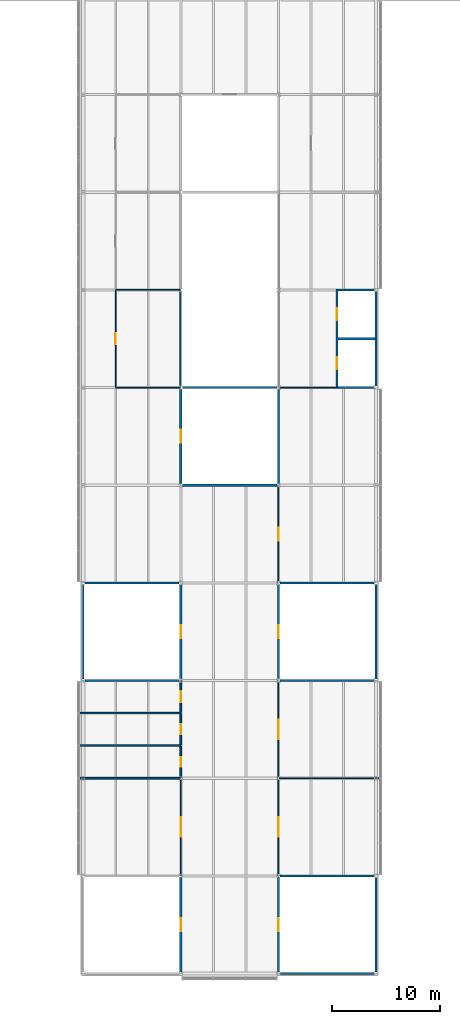
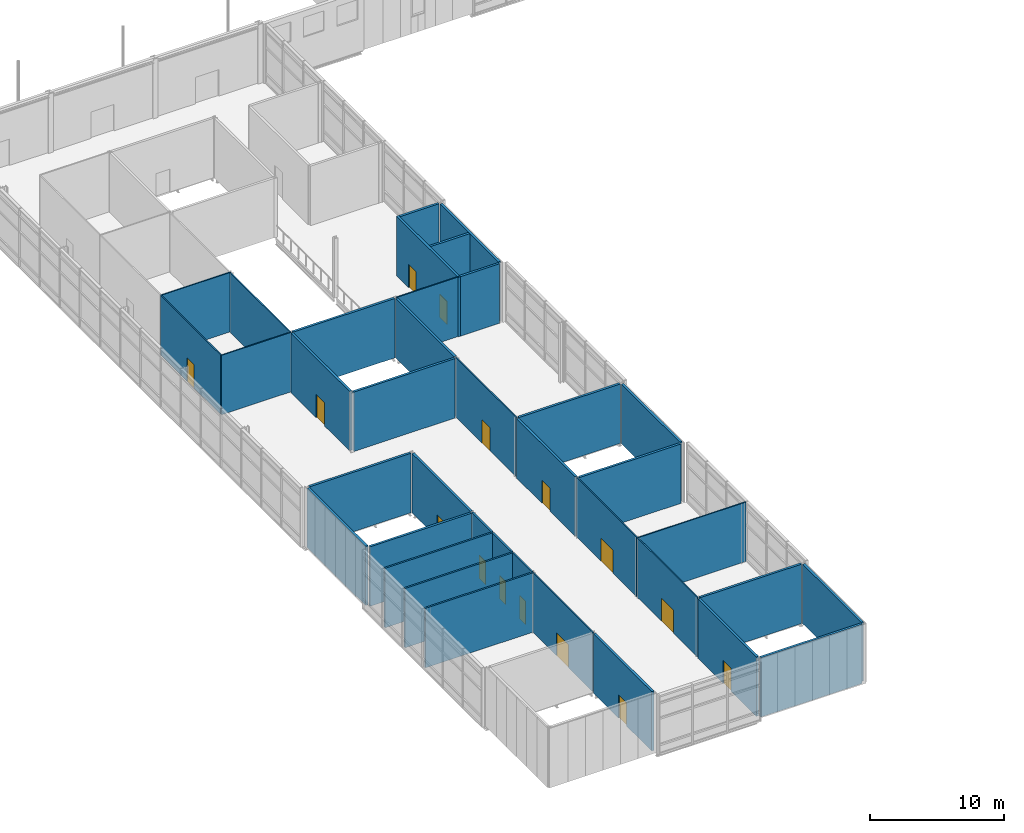
# One storey, part 35 of 46: 38 walls, 15 doors, 15 openings.
"""IFC4 building model written with IfcOpenShell, lengths in metres."""

from ifc_helpers import new_model, si_unit, direction, frame, frame_2d, origin, place, context, subcontext, project, spatial, rectangle, extrude, material, layer, layer_set, type_object, element, fill, save


model = new_model("IFC4")

# Units and contexts
model_context = context("Model", 3, precision=1e-05, world=origin(), true_north=direction((0.0, 1.0)))
body_context = subcontext(model_context, "Body", "Model", "MODEL_VIEW")
ifc_project = project(units=[si_unit("LENGTHUNIT", "METRE"), si_unit("AREAUNIT", "SQUARE_METRE"), si_unit("VOLUMEUNIT", "CUBIC_METRE"), si_unit("PLANEANGLEUNIT", "RADIAN"), si_unit("MASSUNIT", "GRAM", prefix="KILO")], contexts=[model_context])

# Site, building, storey
site_placement = place(None, origin())
site = spatial("IfcSite", under=ifc_project, at=site_placement, CompositionType="ELEMENT")
building_placement = place(site_placement, origin())
building = spatial("IfcBuilding", under=site, at=building_placement, Name="Azimuth Sports and Learning Centre", CompositionType="ELEMENT")
storey_placement = place(building_placement, frame((0.0, 0.0, 21.60009765625)))
storey = spatial("IfcBuildingStorey", under=building, at=storey_placement, Name="L04", CompositionType="ELEMENT", Elevation=21.60009765625)

# Walls
ifc_material_1 = material(Name="Dense masonry blockwork", Category="masonry")
ifc_layer_1 = layer(ifc_material_1, 0.199951171875)
ifc_layer_set_1 = layer_set([ifc_layer_1], Name="Dense masonry blockwork")
wall_type_1 = type_object("IfcWallType", Name="Blockwork wall 200 EI 120", PredefinedType="SOLIDWALL", material=ifc_layer_set_1)
wall_1_placement = place(storey_placement, frame((95.5, 58.5, 0.0), z_axis=(0.0, 0.0, 1.0), x_axis=(1.0, 0.0, 0.0)))
element("IfcWall", 1, at=wall_1_placement, inside=storey, type_object=wall_type_1, Name="SD-STL-1-L04", PredefinedType="SOLIDWALL", context=body_context, shape_type="SweptSolid", body=[
    extrude(rectangle(XDim=3.39990234375, YDim=0.199951171875, at=frame_2d((1.699951171875, 0.0))), origin(), (0.0, 0.0, 1.0), 5.39990234375),
])
ifc_material_2 = material(Name="Gypsum board on steel studs", Category="steel")
ifc_layer_2 = layer(ifc_material_2, 0.10009765625)
ifc_layer_set_2 = layer_set([ifc_layer_2], Name="Gypsum board on steel studs")
wall_type_2 = type_object("IfcWallType", Name="Partition 100 EI 30", PredefinedType="PARTITIONING", material=ifc_layer_set_2)
wall_2_placement = place(storey_placement, frame((90.0, 18.0, 0.0), z_axis=(0.0, 0.0, 1.0), x_axis=(1.0, 0.0, 0.0)))
element("IfcWall", 2, at=wall_2_placement, inside=storey, type_object=wall_type_2, Name="Partition 100 EI 30", PredefinedType="PARTITIONING", context=body_context, shape_type="SweptSolid", body=[
    extrude(rectangle(XDim=9.300048828125, YDim=0.10009765625, at=frame_2d((4.64990234375, 0.0))), origin(), (0.0, 0.0, 1.0), 5.39990234375),
])
wall_3_placement = place(storey_placement, frame((75.0, 54.0, 0.0), z_axis=(0.0, 0.0, 1.0), x_axis=(1.0, 0.0, 0.0)))
element("IfcWall", 3, at=wall_3_placement, inside=storey, type_object=wall_type_2, Name="Partition 100 EI 30", PredefinedType="PARTITIONING", context=body_context, shape_type="SweptSolid", body=[
    extrude(rectangle(XDim=6.0, YDim=0.10009765625, at=frame_2d((3.0, 0.0))), origin(), (0.0, 0.0, 1.0), 5.39990234375),
])
wall_4_placement = place(storey_placement, frame((90.0, 54.0, 0.0), z_axis=(0.0, 0.0, 1.0), x_axis=(1.0, 0.0, 0.0)))
element("IfcWall", 4, at=wall_4_placement, inside=storey, type_object=wall_type_2, Name="Partition 100 EI 30", PredefinedType="PARTITIONING", context=body_context, shape_type="SweptSolid", body=[
    extrude(rectangle(XDim=5.39990234375, YDim=0.10009765625, at=frame_2d((2.699951171875, 0.0))), origin(), (0.0, 0.0, 1.0), 5.39990234375),
])
wall_5_placement = place(storey_placement, frame((75.0, 63.0, 0.0), z_axis=(0.0, 0.0, 1.0), x_axis=(1.0, 0.0, 0.0)))
element("IfcWall", 5, at=wall_5_placement, inside=storey, type_object=wall_type_2, Name="Partition 100 EI 30", PredefinedType="PARTITIONING", context=body_context, shape_type="SweptSolid", body=[
    extrude(rectangle(XDim=6.0, YDim=0.10009765625, at=frame_2d((3.0, 0.0))), origin(), (0.0, 0.0, 1.0), 5.39990234375),
])

# Wall, opening, door
wall_6_placement = place(storey_placement, frame((75.0, 54.050048828125, 0.0), z_axis=(0.0, 0.0, 1.0), x_axis=(0.0, 1.0, 0.0)))
wall_6 = element("IfcWall", 6, at=wall_6_placement, inside=storey, type_object=wall_type_2, Name="Partition 100 EI 30", PredefinedType="PARTITIONING", context=body_context, shape_type="SweptSolid", body=[
    extrude(rectangle(XDim=8.89990234375, YDim=0.10009765625, at=frame_2d((4.449951171875, 0.0))), origin(), (0.0, 0.0, 1.0), 5.39990234375),
])
opening_1_placement = place(wall_6_placement, frame((3.949951171875, 0.0, 0.0)))
opening_1 = element("IfcOpeningElement", 7, at=opening_1_placement, cuts=wall_6, Name="Opening D04-052", PredefinedType="OPENING", context=body_context, shape_type="SweptSolid", body=[
    extrude(rectangle(XDim=1.0, YDim=2.10009765625, at=frame_2d((0.5, 1.050048828125))), frame((0.0, 0.06103515625, 0.0), z_axis=(0.0, -1.0, 0.0), x_axis=(1.0, 0.0, 0.0)), (0.0, 0.0, 1.0), 0.1220703125),
])
ifc_material_3 = material(Name="Timber fire door set", Category="wood")
door_type_1 = type_object("IfcDoorType", Name="Timber door single 1000x2100 FD30S", OperationType="NOTDEFINED", PredefinedType="DOOR", material=ifc_material_3)
door_1_placement = place(opening_1_placement, frame((1.0, 0.0, 0.0), z_axis=(0.0, 0.0, 1.0), x_axis=(-1.0, 0.0, 0.0)))
door_1 = element("IfcDoor", 8, at=door_1_placement, inside=storey, type_object=door_type_1, Name="Door D04-052", OperationType="SINGLE_SWING_RIGHT", OverallHeight=2.10009765625, OverallWidth=1.0, PredefinedType="DOOR", context=body_context, shape_type="SweptSolid", body=[
    extrude(rectangle(XDim=1.0, YDim=2.10009765625, at=frame_2d((0.5, 1.050048828125))), frame((0.0, 0.02490234375, 0.0), z_axis=(0.0, -1.0, 0.0), x_axis=(1.0, 0.0, 0.0)), (0.0, 0.0, 1.0), 0.050048828125),
])
fill(opening_1, door_1)

# Wall
wall_7_placement = place(storey_placement, frame((80.949951171875, 54.050048828125, 0.0), z_axis=(0.0, 0.0, 1.0), x_axis=(0.0, 1.0, 0.0)))
element("IfcWall", 9, at=wall_7_placement, inside=storey, type_object=wall_type_2, Name="Partition 100 EI 30", PredefinedType="PARTITIONING", context=body_context, shape_type="SweptSolid", body=[
    extrude(rectangle(XDim=8.89990234375, YDim=0.10009765625, at=frame_2d((4.449951171875, 0.0))), origin(), (0.0, 0.0, 1.0), 5.39990234375),
])

# Wall, opening, door
wall_8_placement = place(storey_placement, frame((81.0, 9.0, 0.0), z_axis=(0.0, 0.0, 1.0), x_axis=(0.0, 1.0, 0.0)))
wall_8 = element("IfcWall", 10, at=wall_8_placement, inside=storey, type_object=wall_type_2, Name="Partition 100 EI 30", PredefinedType="PARTITIONING", context=body_context, shape_type="SweptSolid", body=[
    extrude(rectangle(XDim=8.925048828125, YDim=0.10009765625, at=frame_2d((4.46240234375, 0.0))), origin(), (0.0, 0.0, 1.0), 5.39990234375),
])
opening_2_placement = place(wall_8_placement, frame((3.60009765625, 0.0, 0.0)))
opening_2 = element("IfcOpeningElement", 11, at=opening_2_placement, cuts=wall_8, Name="Opening D04-048", PredefinedType="OPENING", context=body_context, shape_type="SweptSolid", body=[
    extrude(rectangle(XDim=1.800048828125, YDim=2.10009765625, at=frame_2d((0.89990234375, 1.050048828125))), frame((0.0, 0.06103515625, 0.0), z_axis=(0.0, -1.0, 0.0), x_axis=(1.0, 0.0, 0.0)), (0.0, 0.0, 1.0), 0.1220703125),
])
ifc_material_4 = material(Name="Timber fire door set", Category="wood")
door_type_2 = type_object("IfcDoorType", Name="Timber door double 1800x2100 FD30S", OperationType="DOUBLE_DOOR_SINGLE_SWING", PredefinedType="DOOR", material=ifc_material_4)
door_2_placement = place(opening_2_placement, origin())
door_2 = element("IfcDoor", 12, at=door_2_placement, inside=storey, type_object=door_type_2, Name="Door D04-048", OperationType="DOUBLE_DOOR_SINGLE_SWING", OverallHeight=2.10009765625, OverallWidth=1.800048828125, PredefinedType="DOOR", context=body_context, shape_type="SweptSolid", body=[
    extrude(rectangle(XDim=1.800048828125, YDim=2.10009765625, at=frame_2d((0.89990234375, 1.050048828125))), frame((0.0, 0.02490234375, 0.0), z_axis=(0.0, -1.0, 0.0), x_axis=(1.0, 0.0, 0.0)), (0.0, 0.0, 1.0), 0.050048828125),
])
fill(opening_2, door_2)

wall_9_placement = place(storey_placement, frame((90.0, 9.0, 0.0), z_axis=(0.0, 0.0, 1.0), x_axis=(0.0, 1.0, 0.0)))
wall_9 = element("IfcWall", 13, at=wall_9_placement, inside=storey, type_object=wall_type_2, Name="Partition 100 EI 30", PredefinedType="PARTITIONING", context=body_context, shape_type="SweptSolid", body=[
    extrude(rectangle(XDim=8.949951171875, YDim=0.10009765625, at=frame_2d((4.47509765625, 0.0))), origin(), (0.0, 0.0, 1.0), 5.39990234375),
])
opening_3_placement = place(wall_9_placement, frame((3.60009765625, 0.0, 0.0)))
opening_3 = element("IfcOpeningElement", 14, at=opening_3_placement, cuts=wall_9, Name="Opening D04-049", PredefinedType="OPENING", context=body_context, shape_type="SweptSolid", body=[
    extrude(rectangle(XDim=1.800048828125, YDim=2.10009765625, at=frame_2d((0.89990234375, 1.050048828125))), frame((0.0, 0.06103515625, 0.0), z_axis=(0.0, -1.0, 0.0), x_axis=(1.0, 0.0, 0.0)), (0.0, 0.0, 1.0), 0.1220703125),
])
door_3_placement = place(opening_3_placement, frame((1.800048828125, 0.0, 0.0), z_axis=(0.0, 0.0, 1.0), x_axis=(-1.0, 0.0, 0.0)))
door_3 = element("IfcDoor", 15, at=door_3_placement, inside=storey, type_object=door_type_2, Name="Door D04-049", OperationType="DOUBLE_DOOR_SINGLE_SWING", OverallHeight=2.10009765625, OverallWidth=1.800048828125, PredefinedType="DOOR", context=body_context, shape_type="SweptSolid", body=[
    extrude(rectangle(XDim=1.800048828125, YDim=2.10009765625, at=frame_2d((0.89990234375, 1.050048828125))), frame((0.0, 0.02490234375, 0.0), z_axis=(0.0, -1.0, 0.0), x_axis=(1.0, 0.0, 0.0)), (0.0, 0.0, 1.0), 0.050048828125),
])
fill(opening_3, door_3)

wall_10_placement = place(storey_placement, frame((90.0, 18.050048828125, 0.0), z_axis=(0.0, 0.0, 1.0), x_axis=(0.0, 1.0, 0.0)))
wall_10 = element("IfcWall", 16, at=wall_10_placement, inside=storey, type_object=wall_type_2, Name="Partition 100 EI 30", PredefinedType="PARTITIONING", context=body_context, shape_type="SweptSolid", body=[
    extrude(rectangle(XDim=8.949951171875, YDim=0.10009765625, at=frame_2d((4.47509765625, 0.0))), origin(), (0.0, 0.0, 1.0), 5.39990234375),
])
opening_4_placement = place(wall_10_placement, frame((3.550048828125, 0.0, 0.0)))
opening_4 = element("IfcOpeningElement", 17, at=opening_4_placement, cuts=wall_10, Name="Opening D04-050", PredefinedType="OPENING", context=body_context, shape_type="SweptSolid", body=[
    extrude(rectangle(XDim=1.800048828125, YDim=2.10009765625, at=frame_2d((0.89990234375, 1.050048828125))), frame((0.0, 0.06103515625, 0.0), z_axis=(0.0, -1.0, 0.0), x_axis=(1.0, 0.0, 0.0)), (0.0, 0.0, 1.0), 0.1220703125),
])
door_4_placement = place(opening_4_placement, frame((1.800048828125, 0.0, 0.0), z_axis=(0.0, 0.0, 1.0), x_axis=(-1.0, 0.0, 0.0)))
door_4 = element("IfcDoor", 18, at=door_4_placement, inside=storey, type_object=door_type_2, Name="Door D04-050", OperationType="DOUBLE_DOOR_SINGLE_SWING", OverallHeight=2.10009765625, OverallWidth=1.800048828125, PredefinedType="DOOR", context=body_context, shape_type="SweptSolid", body=[
    extrude(rectangle(XDim=1.800048828125, YDim=2.10009765625, at=frame_2d((0.89990234375, 1.050048828125))), frame((0.0, 0.02490234375, 0.0), z_axis=(0.0, -1.0, 0.0), x_axis=(1.0, 0.0, 0.0)), (0.0, 0.0, 1.0), 0.050048828125),
])
fill(opening_4, door_4)

wall_11_placement = place(storey_placement, frame((90.0, 36.0, 0.0), z_axis=(0.0, 0.0, 1.0), x_axis=(0.0, 1.0, 0.0)))
wall_11 = element("IfcWall", 19, at=wall_11_placement, inside=storey, type_object=wall_type_2, Name="Partition 100 EI 30", PredefinedType="PARTITIONING", context=body_context, shape_type="SweptSolid", body=[
    extrude(rectangle(XDim=9.0, YDim=0.10009765625, at=frame_2d((4.5, 0.0))), origin(), (0.0, 0.0, 1.0), 5.39990234375),
])
opening_5_placement = place(wall_11_placement, frame((3.89990234375, 0.0, 0.0)))
opening_5 = element("IfcOpeningElement", 20, at=opening_5_placement, cuts=wall_11, Name="Opening D04-051", PredefinedType="OPENING", context=body_context, shape_type="SweptSolid", body=[
    extrude(rectangle(XDim=1.199951171875, YDim=2.10009765625, at=frame_2d((0.60009765625, 1.050048828125))), frame((0.0, 0.06103515625, 0.0), z_axis=(0.0, -1.0, 0.0), x_axis=(1.0, 0.0, 0.0)), (0.0, 0.0, 1.0), 0.1220703125),
])
ifc_material_5 = material(Name="Timber fire door set", Category="wood")
door_type_3 = type_object("IfcDoorType", Name="Timber door single 1200x2100 FD30S", OperationType="NOTDEFINED", PredefinedType="DOOR", material=ifc_material_5)
door_5_placement = place(opening_5_placement, frame((1.199951171875, 0.0, 0.0), z_axis=(0.0, 0.0, 1.0), x_axis=(-1.0, 0.0, 0.0)))
door_5 = element("IfcDoor", 21, at=door_5_placement, inside=storey, type_object=door_type_3, Name="Door D04-051", OperationType="SINGLE_SWING_RIGHT", OverallHeight=2.10009765625, OverallWidth=1.199951171875, PredefinedType="DOOR", context=body_context, shape_type="SweptSolid", body=[
    extrude(rectangle(XDim=1.199951171875, YDim=2.10009765625, at=frame_2d((0.60009765625, 1.050048828125))), frame((0.0, 0.02490234375, 0.0), z_axis=(0.0, -1.0, 0.0), x_axis=(1.0, 0.0, 0.0)), (0.0, 0.0, 1.0), 0.050048828125),
])
fill(opening_5, door_5)

# Walls
ifc_material_6 = material(Name="Lightweight blockwork, rendered", Category="masonry")
ifc_layer_3 = layer(ifc_material_6, 0.14990234375)
ifc_layer_set_3 = layer_set([ifc_layer_3], Name="Lightweight blockwork, rendered")
wall_type_3 = type_object("IfcWallType", Name="Partition 150 EI 60", PredefinedType="PARTITIONING", material=ifc_layer_set_3)
for number, where, z_axis, x_axis, name in (
    (22, (71.699951171875, 18.0, 0.0), (0.0, 0.0, 1.0), (1.0, 0.0, 0.0), "Partition 150 EI 60"),
    (23, (71.699951171875, 21.0, 0.0), (0.0, 0.0, 1.0), (1.0, 0.0, 0.0), "Partition 150 EI 60"),
    (24, (71.699951171875, 24.0, 0.0), (0.0, 0.0, 1.0), (1.0, 0.0, 0.0), "Partition 150 EI 60"),
):
    element("IfcWall", number, at=place(storey_placement, frame(where, z_axis=z_axis, x_axis=x_axis)), inside=storey, type_object=wall_type_3, Name=name, PredefinedType="PARTITIONING", context=body_context, shape_type="SweptSolid", body=[
        extrude(rectangle(XDim=9.300048828125, YDim=0.14990234375, at=frame_2d((4.64990234375, 0.0))), origin(), (0.0, 0.0, 1.0), 5.39990234375),
    ])

# Wall, opening, door
wall_12_placement = place(storey_placement, frame((81.0, 18.074951171875, 0.0), z_axis=(0.0, 0.0, 1.0), x_axis=(0.0, 1.0, 0.0)))
wall_12 = element("IfcWall", 25, at=wall_12_placement, inside=storey, type_object=wall_type_3, Name="Partition 150 EI 60", PredefinedType="PARTITIONING", context=body_context, shape_type="SweptSolid", body=[
    extrude(rectangle(XDim=2.85009765625, YDim=0.14990234375, at=frame_2d((1.425048828125, 0.0))), origin(), (0.0, 0.0, 1.0), 5.39990234375),
])
opening_6_placement = place(wall_12_placement, frame((0.97509765625, 0.0, 0.0)))
opening_6 = element("IfcOpeningElement", 26, at=opening_6_placement, cuts=wall_12, Name="Opening D04-059", PredefinedType="OPENING", context=body_context, shape_type="SweptSolid", body=[
    extrude(rectangle(XDim=0.89990234375, YDim=2.10009765625, at=frame_2d((0.449951171875, 1.050048828125))), frame((0.0, 0.0859375, 0.0), z_axis=(0.0, -1.0, 0.0), x_axis=(1.0, 0.0, 0.0)), (0.0, 0.0, 1.0), 0.171875),
])
ifc_material_7 = material(Name="Timber fire door set", Category="wood")
door_type_4 = type_object("IfcDoorType", Name="Timber door single 900x2100 FD60", OperationType="NOTDEFINED", PredefinedType="DOOR", material=ifc_material_7)
door_6_placement = place(opening_6_placement, origin())
door_6 = element("IfcDoor", 27, at=door_6_placement, inside=storey, type_object=door_type_4, Name="Door D04-059", OperationType="SINGLE_SWING_LEFT", OverallHeight=2.10009765625, OverallWidth=0.89990234375, PredefinedType="DOOR", context=body_context, shape_type="SweptSolid", body=[
    extrude(rectangle(XDim=0.89990234375, YDim=2.10009765625, at=frame_2d((0.449951171875, 1.050048828125))), frame((0.0, 0.02490234375, 0.0), z_axis=(0.0, -1.0, 0.0), x_axis=(1.0, 0.0, 0.0)), (0.0, 0.0, 1.0), 0.050048828125),
])
fill(opening_6, door_6)

wall_13_placement = place(storey_placement, frame((81.0, 21.074951171875, 0.0), z_axis=(0.0, 0.0, 1.0), x_axis=(0.0, 1.0, 0.0)))
wall_13 = element("IfcWall", 28, at=wall_13_placement, inside=storey, type_object=wall_type_3, Name="Partition 150 EI 60", PredefinedType="PARTITIONING", context=body_context, shape_type="SweptSolid", body=[
    extrude(rectangle(XDim=2.85009765625, YDim=0.14990234375, at=frame_2d((1.425048828125, 0.0))), origin(), (0.0, 0.0, 1.0), 5.39990234375),
])
opening_7_placement = place(wall_13_placement, frame((0.97509765625, 0.0, 0.0)))
opening_7 = element("IfcOpeningElement", 29, at=opening_7_placement, cuts=wall_13, Name="Opening D04-060", PredefinedType="OPENING", context=body_context, shape_type="SweptSolid", body=[
    extrude(rectangle(XDim=0.89990234375, YDim=2.10009765625, at=frame_2d((0.449951171875, 1.050048828125))), frame((0.0, 0.0859375, 0.0), z_axis=(0.0, -1.0, 0.0), x_axis=(1.0, 0.0, 0.0)), (0.0, 0.0, 1.0), 0.171875),
])
door_7_placement = place(opening_7_placement, origin())
door_7 = element("IfcDoor", 30, at=door_7_placement, inside=storey, type_object=door_type_4, Name="Door D04-060", OperationType="SINGLE_SWING_LEFT", OverallHeight=2.10009765625, OverallWidth=0.89990234375, PredefinedType="DOOR", context=body_context, shape_type="SweptSolid", body=[
    extrude(rectangle(XDim=0.89990234375, YDim=2.10009765625, at=frame_2d((0.449951171875, 1.050048828125))), frame((0.0, 0.02490234375, 0.0), z_axis=(0.0, -1.0, 0.0), x_axis=(1.0, 0.0, 0.0)), (0.0, 0.0, 1.0), 0.050048828125),
])
fill(opening_7, door_7)

wall_14_placement = place(storey_placement, frame((81.0, 24.074951171875, 0.0), z_axis=(0.0, 0.0, 1.0), x_axis=(0.0, 1.0, 0.0)))
wall_14 = element("IfcWall", 31, at=wall_14_placement, inside=storey, type_object=wall_type_3, Name="Partition 150 EI 60", PredefinedType="PARTITIONING", context=body_context, shape_type="SweptSolid", body=[
    extrude(rectangle(XDim=2.925048828125, YDim=0.14990234375, at=frame_2d((1.46240234375, 0.0))), origin(), (0.0, 0.0, 1.0), 5.39990234375),
])
opening_8_placement = place(wall_14_placement, frame((0.925048828125, 0.0, 0.0)))
opening_8 = element("IfcOpeningElement", 32, at=opening_8_placement, cuts=wall_14, Name="Opening D04-061", PredefinedType="OPENING", context=body_context, shape_type="SweptSolid", body=[
    extrude(rectangle(XDim=1.0, YDim=2.10009765625, at=frame_2d((0.5, 1.050048828125))), frame((0.0, 0.0859375, 0.0), z_axis=(0.0, -1.0, 0.0), x_axis=(1.0, 0.0, 0.0)), (0.0, 0.0, 1.0), 0.171875),
])
ifc_material_8 = material(Name="Timber fire door set", Category="wood")
door_type_5 = type_object("IfcDoorType", Name="Timber door single 1000x2100 FD60", OperationType="NOTDEFINED", PredefinedType="DOOR", material=ifc_material_8)
door_8_placement = place(opening_8_placement, origin())
door_8 = element("IfcDoor", 33, at=door_8_placement, inside=storey, type_object=door_type_5, Name="Door D04-061", OperationType="SINGLE_SWING_LEFT", OverallHeight=2.10009765625, OverallWidth=1.0, PredefinedType="DOOR", context=body_context, shape_type="SweptSolid", body=[
    extrude(rectangle(XDim=1.0, YDim=2.10009765625, at=frame_2d((0.5, 1.050048828125))), frame((0.0, 0.02490234375, 0.0), z_axis=(0.0, -1.0, 0.0), x_axis=(1.0, 0.0, 0.0)), (0.0, 0.0, 1.0), 0.050048828125),
])
fill(opening_8, door_8)

ifc_material_9 = material(Name="Concrete C40/50", Category="concrete")
ifc_layer_4 = layer(ifc_material_9, 0.199951171875)
ifc_layer_set_4 = layer_set([ifc_layer_4], Name="Concrete C40/50")
wall_type_4 = type_object("IfcWallType", Name="RC cell wall 200 EI 120", PredefinedType="SHEAR", material=ifc_layer_set_4)
wall_15_placement = place(storey_placement, frame((81.0, 0.14990234375, 0.0), z_axis=(0.0, 0.0, 1.0), x_axis=(0.0, 1.0, 0.0)))
wall_15 = element("IfcWall", 34, at=wall_15_placement, inside=storey, type_object=wall_type_4, Name="CE-ST1-E-L04", PredefinedType="SHEAR", context=body_context, shape_type="SweptSolid", body=[
    extrude(rectangle(XDim=8.7001953125, YDim=0.199951171875, at=frame_2d((4.35009765625, 0.0))), origin(), (0.0, 0.0, 1.0), 5.39990234375),
])
opening_9_placement = place(wall_15_placement, frame((3.75, 0.0, 0.0)))
opening_9 = element("IfcOpeningElement", 35, at=opening_9_placement, cuts=wall_15, Name="Opening D04-013", PredefinedType="OPENING", context=body_context, shape_type="SweptSolid", body=[
    extrude(rectangle(XDim=1.199951171875, YDim=2.10009765625, at=frame_2d((0.60009765625, 1.050048828125))), frame((0.0, 0.11083984375, 0.0), z_axis=(0.0, -1.0, 0.0), x_axis=(1.0, 0.0, 0.0)), (0.0, 0.0, 1.0), 0.221923828125),
])
ifc_material_10 = material(Name="Steel", Category="steel")
door_type_6 = type_object("IfcDoorType", Name="Stair fire door 1200 x 2100", OperationType="NOTDEFINED", PredefinedType="DOOR", material=ifc_material_10)
door_9_placement = place(opening_9_placement, frame((1.199951171875, 0.0, 0.0), z_axis=(0.0, 0.0, 1.0), x_axis=(-1.0, 0.0, 0.0)))
door_9 = element("IfcDoor", 36, at=door_9_placement, inside=storey, type_object=door_type_6, Name="Stair door ST1 L04", OperationType="SINGLE_SWING_LEFT", OverallHeight=2.10009765625, OverallWidth=1.199951171875, PredefinedType="DOOR", context=body_context, shape_type="SweptSolid", body=[
    extrude(rectangle(XDim=1.199951171875, YDim=2.10009765625, at=frame_2d((0.60009765625, 1.050048828125))), frame((0.0, 0.02490234375, 0.0), z_axis=(0.0, -1.0, 0.0), x_axis=(1.0, 0.0, 0.0)), (0.0, 0.0, 1.0), 0.050048828125),
])
fill(opening_9, door_9)

# Wall
wall_16_placement = place(storey_placement, frame((90.14990234375, 9.0, 0.0), z_axis=(0.0, 0.0, 1.0), x_axis=(1.0, 0.0, 0.0)))
element("IfcWall", 37, at=wall_16_placement, inside=storey, type_object=wall_type_4, Name="CE-ST2-N-L04", PredefinedType="SHEAR", context=body_context, shape_type="SweptSolid", body=[
    extrude(rectangle(XDim=8.7001953125, YDim=0.199951171875, at=frame_2d((4.35009765625, 0.0))), origin(), (0.0, 0.0, 1.0), 5.39990234375),
])

# Wall, opening, door
wall_17_placement = place(storey_placement, frame((90.0, 0.14990234375, 0.0), z_axis=(0.0, 0.0, 1.0), x_axis=(0.0, 1.0, 0.0)))
wall_17 = element("IfcWall", 38, at=wall_17_placement, inside=storey, type_object=wall_type_4, Name="CE-ST2-W-L04", PredefinedType="SHEAR", context=body_context, shape_type="SweptSolid", body=[
    extrude(rectangle(XDim=8.7001953125, YDim=0.199951171875, at=frame_2d((4.35009765625, 0.0))), origin(), (0.0, 0.0, 1.0), 5.39990234375),
])
opening_10_placement = place(wall_17_placement, frame((3.75, 0.0, 0.0)))
opening_10 = element("IfcOpeningElement", 39, at=opening_10_placement, cuts=wall_17, Name="Opening D04-014", PredefinedType="OPENING", context=body_context, shape_type="SweptSolid", body=[
    extrude(rectangle(XDim=1.199951171875, YDim=2.10009765625, at=frame_2d((0.60009765625, 1.050048828125))), frame((0.0, 0.11083984375, 0.0), z_axis=(0.0, -1.0, 0.0), x_axis=(1.0, 0.0, 0.0)), (0.0, 0.0, 1.0), 0.221923828125),
])
door_10_placement = place(opening_10_placement, origin())
door_10 = element("IfcDoor", 40, at=door_10_placement, inside=storey, type_object=door_type_6, Name="Stair door ST2 L04", OperationType="SINGLE_SWING_RIGHT", OverallHeight=2.10009765625, OverallWidth=1.199951171875, PredefinedType="DOOR", context=body_context, shape_type="SweptSolid", body=[
    extrude(rectangle(XDim=1.199951171875, YDim=2.10009765625, at=frame_2d((0.60009765625, 1.050048828125))), frame((0.0, 0.02490234375, 0.0), z_axis=(0.0, -1.0, 0.0), x_axis=(1.0, 0.0, 0.0)), (0.0, 0.0, 1.0), 0.050048828125),
])
fill(opening_10, door_10)

# Walls
for number, where, z_axis, x_axis, name in (
    (41, (72.14990234375, 27.0, 0.0), (0.0, 0.0, 1.0), (1.0, 0.0, 0.0), "CE-ST3-S-L04"),
    (42, (72.14990234375, 36.0, 0.0), (0.0, 0.0, 1.0), (1.0, 0.0, 0.0), "CE-ST3-N-L04"),
):
    element("IfcWall", number, at=place(storey_placement, frame(where, z_axis=z_axis, x_axis=x_axis)), inside=storey, type_object=wall_type_4, Name=name, PredefinedType="SHEAR", context=body_context, shape_type="SweptSolid", body=[
        extrude(rectangle(XDim=8.7001953125, YDim=0.199951171875, at=frame_2d((4.35009765625, 0.0))), origin(), (0.0, 0.0, 1.0), 5.39990234375),
    ])

# Wall, opening, door
wall_18_placement = place(storey_placement, frame((81.0, 27.14990234375, 0.0), z_axis=(0.0, 0.0, 1.0), x_axis=(0.0, 1.0, 0.0)))
wall_18 = element("IfcWall", 43, at=wall_18_placement, inside=storey, type_object=wall_type_4, Name="CE-ST3-E-L04", PredefinedType="SHEAR", context=body_context, shape_type="SweptSolid", body=[
    extrude(rectangle(XDim=8.7001953125, YDim=0.199951171875, at=frame_2d((4.35009765625, 0.0))), origin(), (0.0, 0.0, 1.0), 5.39990234375),
])
opening_11_placement = place(wall_18_placement, frame((3.75, 0.0, 0.0)))
opening_11 = element("IfcOpeningElement", 44, at=opening_11_placement, cuts=wall_18, Name="Opening D04-015", PredefinedType="OPENING", context=body_context, shape_type="SweptSolid", body=[
    extrude(rectangle(XDim=1.199951171875, YDim=2.10009765625, at=frame_2d((0.60009765625, 1.050048828125))), frame((0.0, 0.11083984375, 0.0), z_axis=(0.0, -1.0, 0.0), x_axis=(1.0, 0.0, 0.0)), (0.0, 0.0, 1.0), 0.221923828125),
])
door_11_placement = place(opening_11_placement, frame((1.199951171875, 0.0, 0.0), z_axis=(0.0, 0.0, 1.0), x_axis=(-1.0, 0.0, 0.0)))
door_11 = element("IfcDoor", 45, at=door_11_placement, inside=storey, type_object=door_type_6, Name="Stair door ST3 L04", OperationType="SINGLE_SWING_RIGHT", OverallHeight=2.10009765625, OverallWidth=1.199951171875, PredefinedType="DOOR", context=body_context, shape_type="SweptSolid", body=[
    extrude(rectangle(XDim=1.199951171875, YDim=2.10009765625, at=frame_2d((0.60009765625, 1.050048828125))), frame((0.0, 0.02490234375, 0.0), z_axis=(0.0, -1.0, 0.0), x_axis=(1.0, 0.0, 0.0)), (0.0, 0.0, 1.0), 0.050048828125),
])
fill(opening_11, door_11)

# Walls
for number, where, z_axis, x_axis, name in (
    (46, (90.14990234375, 27.0, 0.0), (0.0, 0.0, 1.0), (1.0, 0.0, 0.0), "CE-ST4-S-L04"),
    (47, (90.14990234375, 36.0, 0.0), (0.0, 0.0, 1.0), (1.0, 0.0, 0.0), "CE-ST4-N-L04"),
):
    element("IfcWall", number, at=place(storey_placement, frame(where, z_axis=z_axis, x_axis=x_axis)), inside=storey, type_object=wall_type_4, Name=name, PredefinedType="SHEAR", context=body_context, shape_type="SweptSolid", body=[
        extrude(rectangle(XDim=8.7001953125, YDim=0.199951171875, at=frame_2d((4.35009765625, 0.0))), origin(), (0.0, 0.0, 1.0), 5.39990234375),
    ])

# Wall, opening, door
wall_19_placement = place(storey_placement, frame((90.0, 27.14990234375, 0.0), z_axis=(0.0, 0.0, 1.0), x_axis=(0.0, 1.0, 0.0)))
wall_19 = element("IfcWall", 48, at=wall_19_placement, inside=storey, type_object=wall_type_4, Name="CE-ST4-W-L04", PredefinedType="SHEAR", context=body_context, shape_type="SweptSolid", body=[
    extrude(rectangle(XDim=8.7001953125, YDim=0.199951171875, at=frame_2d((4.35009765625, 0.0))), origin(), (0.0, 0.0, 1.0), 5.39990234375),
])
opening_12_placement = place(wall_19_placement, frame((3.75, 0.0, 0.0)))
opening_12 = element("IfcOpeningElement", 49, at=opening_12_placement, cuts=wall_19, Name="Opening D04-016", PredefinedType="OPENING", context=body_context, shape_type="SweptSolid", body=[
    extrude(rectangle(XDim=1.199951171875, YDim=2.10009765625, at=frame_2d((0.60009765625, 1.050048828125))), frame((0.0, 0.11083984375, 0.0), z_axis=(0.0, -1.0, 0.0), x_axis=(1.0, 0.0, 0.0)), (0.0, 0.0, 1.0), 0.221923828125),
])
door_12_placement = place(opening_12_placement, origin())
door_12 = element("IfcDoor", 50, at=door_12_placement, inside=storey, type_object=door_type_6, Name="Stair door ST4 L04", OperationType="SINGLE_SWING_LEFT", OverallHeight=2.10009765625, OverallWidth=1.199951171875, PredefinedType="DOOR", context=body_context, shape_type="SweptSolid", body=[
    extrude(rectangle(XDim=1.199951171875, YDim=2.10009765625, at=frame_2d((0.60009765625, 1.050048828125))), frame((0.0, 0.02490234375, 0.0), z_axis=(0.0, -1.0, 0.0), x_axis=(1.0, 0.0, 0.0)), (0.0, 0.0, 1.0), 0.050048828125),
])
fill(opening_12, door_12)

# Walls
for number, where, z_axis, x_axis, name in (
    (51, (81.14990234375, 45.0, 0.0), (0.0, 0.0, 1.0), (1.0, 0.0, 0.0), "CE-STC-S-L04"),
    (52, (81.14990234375, 54.0, 0.0), (0.0, 0.0, 1.0), (1.0, 0.0, 0.0), "CE-STC-N-L04"),
):
    element("IfcWall", number, at=place(storey_placement, frame(where, z_axis=z_axis, x_axis=x_axis)), inside=storey, type_object=wall_type_4, Name=name, PredefinedType="SHEAR", context=body_context, shape_type="SweptSolid", body=[
        extrude(rectangle(XDim=8.7001953125, YDim=0.199951171875, at=frame_2d((4.35009765625, 0.0))), origin(), (0.0, 0.0, 1.0), 5.39990234375),
    ])

# Wall, opening, door
wall_20_placement = place(storey_placement, frame((81.0, 45.14990234375, 0.0), z_axis=(0.0, 0.0, 1.0), x_axis=(0.0, 1.0, 0.0)))
wall_20 = element("IfcWall", 53, at=wall_20_placement, inside=storey, type_object=wall_type_4, Name="CE-STC-W-L04", PredefinedType="SHEAR", context=body_context, shape_type="SweptSolid", body=[
    extrude(rectangle(XDim=8.7001953125, YDim=0.199951171875, at=frame_2d((4.35009765625, 0.0))), origin(), (0.0, 0.0, 1.0), 5.39990234375),
])
opening_13_placement = place(wall_20_placement, frame((3.75, 0.0, 0.0)))
opening_13 = element("IfcOpeningElement", 54, at=opening_13_placement, cuts=wall_20, Name="Opening D04-017", PredefinedType="OPENING", context=body_context, shape_type="SweptSolid", body=[
    extrude(rectangle(XDim=1.199951171875, YDim=2.10009765625, at=frame_2d((0.60009765625, 1.050048828125))), frame((0.0, 0.11083984375, 0.0), z_axis=(0.0, -1.0, 0.0), x_axis=(1.0, 0.0, 0.0)), (0.0, 0.0, 1.0), 0.221923828125),
])
door_13_placement = place(opening_13_placement, origin())
door_13 = element("IfcDoor", 55, at=door_13_placement, inside=storey, type_object=door_type_6, Name="Stair door STC L04", OperationType="SINGLE_SWING_LEFT", OverallHeight=2.10009765625, OverallWidth=1.199951171875, PredefinedType="DOOR", context=body_context, shape_type="SweptSolid", body=[
    extrude(rectangle(XDim=1.199951171875, YDim=2.10009765625, at=frame_2d((0.60009765625, 1.050048828125))), frame((0.0, 0.02490234375, 0.0), z_axis=(0.0, -1.0, 0.0), x_axis=(1.0, 0.0, 0.0)), (0.0, 0.0, 1.0), 0.050048828125),
])
fill(opening_13, door_13)

# Walls
wall_21_placement = place(storey_placement, frame((90.0, 45.14990234375, 0.0), z_axis=(0.0, 0.0, 1.0), x_axis=(0.0, 1.0, 0.0)))
element("IfcWall", 56, at=wall_21_placement, inside=storey, type_object=wall_type_4, Name="CE-STC-E-L04", PredefinedType="SHEAR", context=body_context, shape_type="SweptSolid", body=[
    extrude(rectangle(XDim=8.7001953125, YDim=0.199951171875, at=frame_2d((4.35009765625, 0.0))), origin(), (0.0, 0.0, 1.0), 5.39990234375),
])
for number, where, z_axis, x_axis, name in (
    (57, (95.5, 54.0, 0.0), (0.0, 0.0, 1.0), (1.0, 0.0, 0.0), "CE-STL-S-L04"),
    (58, (95.5, 63.0, 0.0), (0.0, 0.0, 1.0), (1.0, 0.0, 0.0), "CE-STL-N-L04"),
):
    element("IfcWall", number, at=place(storey_placement, frame(where, z_axis=z_axis, x_axis=x_axis)), inside=storey, type_object=wall_type_4, Name=name, PredefinedType="SHEAR", context=body_context, shape_type="SweptSolid", body=[
        extrude(rectangle(XDim=3.35009765625, YDim=0.199951171875, at=frame_2d((1.675048828125, 0.0))), origin(), (0.0, 0.0, 1.0), 5.39990234375),
    ])

# Wall, openings, doors
wall_22_placement = place(storey_placement, frame((95.39990234375, 53.89990234375, 0.0), z_axis=(0.0, 0.0, 1.0), x_axis=(0.0, 1.0, 0.0)))
wall_22 = element("IfcWall", 59, at=wall_22_placement, inside=storey, type_object=wall_type_4, Name="CE-STL-W-L04", PredefinedType="SHEAR", context=body_context, shape_type="SweptSolid", body=[
    extrude(rectangle(XDim=9.2001953125, YDim=0.199951171875, at=frame_2d((4.60009765625, 0.0))), origin(), (0.0, 0.0, 1.0), 5.39990234375),
])
opening_14_placement = place(wall_22_placement, frame((1.800048828125, 0.0, 0.0)))
opening_14 = element("IfcOpeningElement", 60, at=opening_14_placement, cuts=wall_22, Name="Opening D04-029", PredefinedType="OPENING", context=body_context, shape_type="SweptSolid", body=[
    extrude(rectangle(XDim=1.10009765625, YDim=2.10009765625, at=frame_2d((0.550048828125, 1.050048828125))), frame((0.0, 0.11083984375, 0.0), z_axis=(0.0, -1.0, 0.0), x_axis=(1.0, 0.0, 0.0)), (0.0, 0.0, 1.0), 0.221923828125),
])
opening_15_placement = place(wall_22_placement, frame((6.300048828125, 0.0, 0.0)))
opening_15 = element("IfcOpeningElement", 61, at=opening_15_placement, cuts=wall_22, Name="Opening D04-030", PredefinedType="OPENING", context=body_context, shape_type="SweptSolid", body=[
    extrude(rectangle(XDim=1.10009765625, YDim=2.10009765625, at=frame_2d((0.550048828125, 1.050048828125))), frame((0.0, 0.11083984375, 0.0), z_axis=(0.0, -1.0, 0.0), x_axis=(1.0, 0.0, 0.0)), (0.0, 0.0, 1.0), 0.221923828125),
])
ifc_material_11 = material(Name="Stainless steel", Category="steel")
door_type_7 = type_object("IfcDoorType", Name="Lift landing door 1100 x 2100", OperationType="DOUBLE_DOOR_SLIDING", PredefinedType="DOOR", material=ifc_material_11)
door_14_placement = place(opening_14_placement, origin())
door_14 = element("IfcDoor", 62, at=door_14_placement, inside=storey, type_object=door_type_7, Name="Landing door LS1 L04", OperationType="DOUBLE_DOOR_SLIDING", OverallHeight=2.10009765625, OverallWidth=1.10009765625, PredefinedType="DOOR", context=body_context, shape_type="SweptSolid", body=[
    extrude(rectangle(XDim=1.10009765625, YDim=2.10009765625, at=frame_2d((0.550048828125, 1.050048828125))), frame((0.0, 0.02490234375, 0.0), z_axis=(0.0, -1.0, 0.0), x_axis=(1.0, 0.0, 0.0)), (0.0, 0.0, 1.0), 0.050048828125),
])
fill(opening_14, door_14)
door_15_placement = place(opening_15_placement, origin())
door_15 = element("IfcDoor", 63, at=door_15_placement, inside=storey, type_object=door_type_7, Name="Landing door LS2 L04", OperationType="DOUBLE_DOOR_SLIDING", OverallHeight=2.10009765625, OverallWidth=1.10009765625, PredefinedType="DOOR", context=body_context, shape_type="SweptSolid", body=[
    extrude(rectangle(XDim=1.10009765625, YDim=2.10009765625, at=frame_2d((0.550048828125, 1.050048828125))), frame((0.0, 0.02490234375, 0.0), z_axis=(0.0, -1.0, 0.0), x_axis=(1.0, 0.0, 0.0)), (0.0, 0.0, 1.0), 0.050048828125),
])
fill(opening_15, door_15)

# Walls
ifc_material_12 = material(Name="Concrete C40/50", Category="concrete")
ifc_layer_5 = layer(ifc_material_12, 0.199951171875)
ifc_layer_set_5 = layer_set([ifc_layer_5], Name="Concrete C40/50")
wall_type_5 = type_object("IfcWallType", Name="RC external cell wall 200 EI 120", PredefinedType="SHEAR", material=ifc_layer_set_5)
for number, where, z_axis, x_axis, name in (
    (64, (90.14990234375, 0.0, 0.0), (0.0, 0.0, 1.0), (1.0, 0.0, 0.0), "CE-ST2-S-L04"),
    (65, (99.0, 0.14990234375, 0.0), (0.0, 0.0, 1.0), (0.0, 1.0, 0.0), "CE-ST2-E-L04"),
    (66, (72.0, 27.14990234375, 0.0), (0.0, 0.0, 1.0), (0.0, 1.0, 0.0), "CE-ST3-W-L04"),
    (67, (99.0, 27.14990234375, 0.0), (0.0, 0.0, 1.0), (0.0, 1.0, 0.0), "CE-ST4-E-L04"),
    (68, (99.0, 54.14990234375, 0.0), (0.0, 0.0, 1.0), (0.0, 1.0, 0.0), "CE-STL-E-L04"),
):
    element("IfcWall", number, at=place(storey_placement, frame(where, z_axis=z_axis, x_axis=x_axis)), inside=storey, type_object=wall_type_5, Name=name, PredefinedType="SHEAR", context=body_context, shape_type="SweptSolid", body=[
        extrude(rectangle(XDim=8.7001953125, YDim=0.199951171875, at=frame_2d((4.35009765625, 0.0))), origin(), (0.0, 0.0, 1.0), 5.39990234375),
    ])

save(model, "model.ifc")
